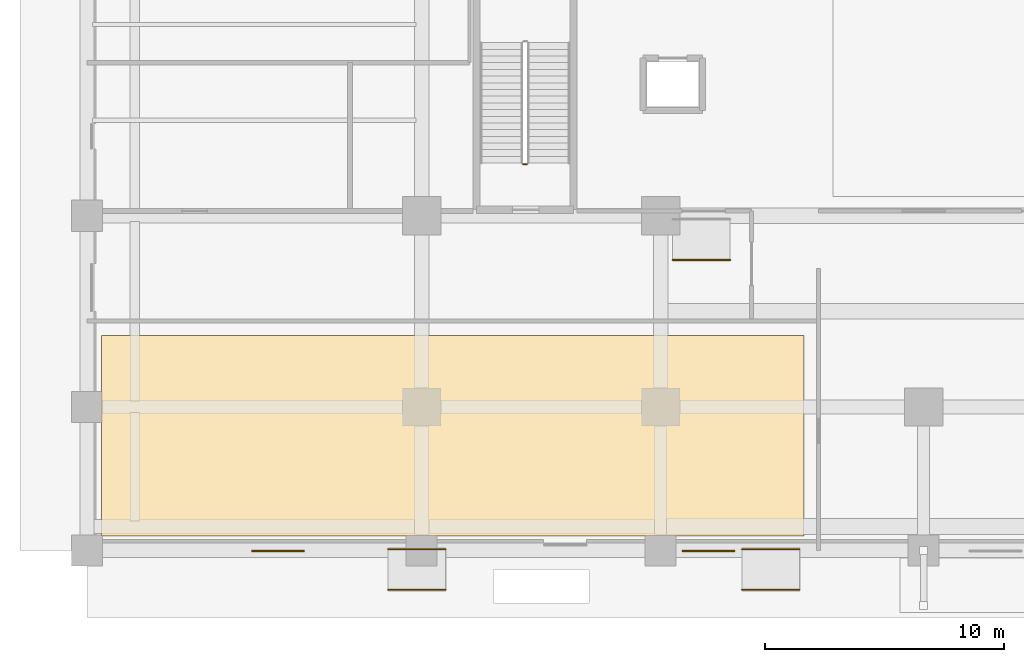
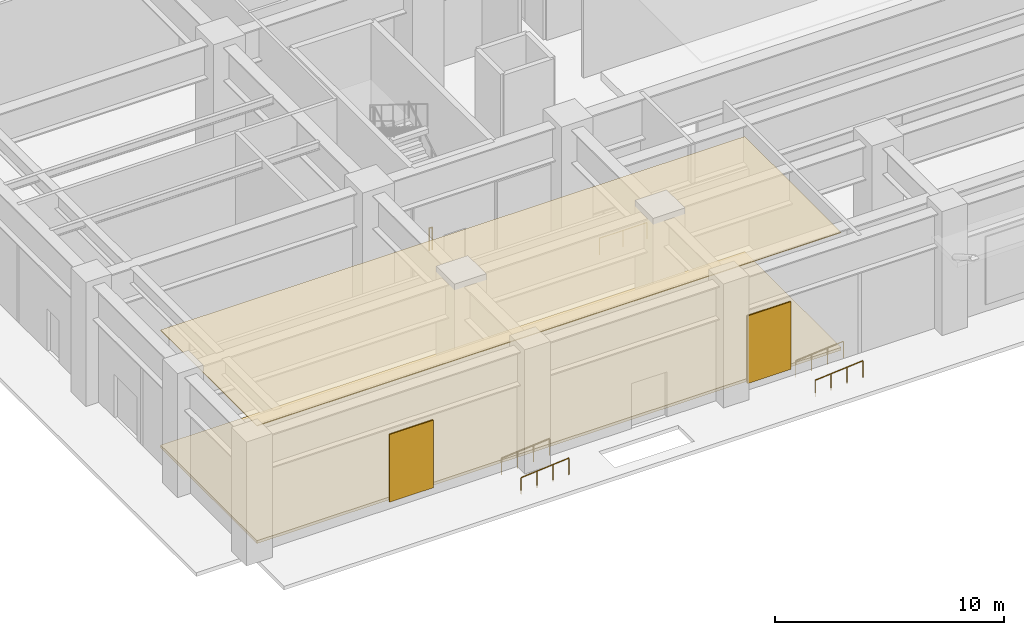
# One storey, part 14 of 21: 6 railings, 4 coverings.
"""IFC4 building model written with IfcOpenShell, lengths in metres."""

from ifc_helpers import new_model, si_unit, direction, frame, origin, origin_2d, place, context, subcontext, project, spatial, polyline, rectangle, circle, outline, extrude, source, transform, mapped, material, layer, layer_set, type_object, element, save


model = new_model("IFC4")

# Units and contexts
model_context = context("Model", 3, precision=1e-05, world=origin(), true_north=direction((0.0, 1.0)))
body_context = subcontext(model_context, "Body", "Model", "MODEL_VIEW")
ifc_project = project(units=[si_unit("LENGTHUNIT", "METRE"), si_unit("AREAUNIT", "SQUARE_METRE"), si_unit("VOLUMEUNIT", "CUBIC_METRE"), si_unit("PLANEANGLEUNIT", "RADIAN"), si_unit("MASSUNIT", "GRAM", prefix="KILO")], contexts=[model_context])

# Site, building, storey
site_placement = place(None, origin())
site = spatial("IfcSite", under=ifc_project, at=site_placement, CompositionType="ELEMENT")
building_placement = place(site_placement, origin())
building = spatial("IfcBuilding", under=site, at=building_placement, Name="Khorayat Bourse Tower", CompositionType="ELEMENT")
storey_placement = place(building_placement, origin())
storey = spatial("IfcBuildingStorey", under=building, at=storey_placement, Name="L00", CompositionType="ELEMENT", Elevation=0.0)

# Coverings
ifc_material_1 = material(Name="Mineral fibre acoustic ceiling tile")
ifc_layer_1 = layer(ifc_material_1, 0.0400390625)
ifc_layer_set_1 = layer_set([ifc_layer_1], Name="Mineral fibre acoustic ceiling tile")
covering_type_1 = type_object("IfcCoveringType", Name="COV-CEIL-ACOUSTIC", PredefinedType="CEILING", material=ifc_layer_set_1)
covering_1_placement = place(storey_placement, frame((0.0, 0.0, 6.239990234375)))
element("IfcCovering", 1, at=covering_1_placement, inside=storey, type_object=covering_type_1, Name="L00 Suspended Ceiling 2", PredefinedType="CEILING", context=body_context, shape_type="SweptSolid", body=[
    extrude(outline(polyline([(-45.39990234375, -37.39990234375), (-16.0, -37.39990234375), (-16.0, -29.0), (-45.39990234375, -29.0), (-45.39990234375, -37.39990234375)])), origin(), (0.0, 0.0, 1.0), 0.0400390625),
])
ifc_material_2 = material(Name="Steel-encapsulated raised access floor", Category="steel")
ifc_layer_2 = layer(ifc_material_2, 0.14990234375)
ifc_layer_set_2 = layer_set([ifc_layer_2], Name="Steel-encapsulated raised access floor")
covering_type_2 = type_object("IfcCoveringType", Name="COV-RAF-OFFICE", PredefinedType="FLOORING", material=ifc_layer_set_2)
covering_2_placement = place(storey_placement, origin())
element("IfcCovering", 2, at=covering_2_placement, inside=storey, type_object=covering_type_2, Name="L00 Raised Access Floor 2", PredefinedType="FLOORING", context=body_context, shape_type="SweptSolid", body=[
    extrude(outline(polyline([(-45.39990234375, -37.39990234375), (-16.0, -37.39990234375), (-16.0, -29.0), (-45.39990234375, -29.0), (-45.39990234375, -37.39990234375)])), origin(), (0.0, 0.0, 1.0), 0.14990234375),
])
ifc_material_3 = material(Name="Honed Omani desert limestone cladding", Category="masonry")
ifc_layer_3 = layer(ifc_material_3, 0.06005859375)
ifc_layer_set_3 = layer_set([ifc_layer_3], Name="Honed Omani desert limestone cladding")
covering_type_3 = type_object("IfcCoveringType", Name="COV-CLAD-STONE", PredefinedType="CLADDING", material=ifc_layer_set_3)
shared_shape_1 = source(origin(), body_context, "Body", "SweptSolid", [
    extrude(rectangle(XDim=2.199951171875, YDim=0.06005859375, at=origin_2d()), origin(), (0.0, 0.0, 1.0), 3.60009765625),
])
for number, where, z_axis, x_axis, name in (
    (3, (-38.0, -38.030029296875, 0.39990234375), (0.0, 0.0, 1.0), (1.0, 0.0, 0.0), "L00 Honed Limestone Pier Cladding 1"),
    (4, (-20.0, -38.030029296875, 0.39990234375), (0.0, 0.0, 1.0), (1.0, 0.0, 0.0), "L00 Honed Limestone Pier Cladding 2"),
):
    element("IfcCovering", number, at=place(storey_placement, frame(where, z_axis=z_axis, x_axis=x_axis)), inside=storey, type_object=covering_type_3, Name=name, PredefinedType="CLADDING", context=body_context, shape_type="MappedRepresentation", body=[
        mapped(shared_shape_1, transform((0.0, 0.0, 0.0), scale=1.0)),
    ])

# Railings
ifc_material_4 = material(Name="Powder-coated steel balustrade", Category="steel")
railing_type_1 = type_object("IfcRailingType", Name="RLG-GUARD-1200", PredefinedType="GUARDRAIL", material=ifc_material_4)
shared_shape_2 = source(origin(), body_context, "Body", "SweptSolid", [
    extrude(circle(Radius=0.02392578125, at=origin_2d()), frame((0.0, 0.0, 1.17578125), z_axis=(-1.0, 0.0, 0.0), x_axis=(0.0, -1.0, 0.0)), (0.0, 0.0, 1.0), 0.14990234375),
    extrude(circle(Radius=0.02099609375, at=origin_2d()), origin(), (0.0, 0.0, 1.0), 1.15185546875),
    extrude(circle(Radius=0.02099609375, at=origin_2d()), frame((-0.14990234375, 0.0, 0.0)), (0.0, 0.0, 1.0), 1.15185546875),
])
railing_1_placement = place(storey_placement, frame((-27.60009765625, -21.85009765625, 0.0)))
element("IfcRailing", 5, at=railing_1_placement, inside=storey, type_object=railing_type_1, Name="L00 ST-P1 stair guard 4", PredefinedType="GUARDRAIL", context=body_context, shape_type="MappedRepresentation", body=[
    mapped(shared_shape_2, transform((0.0, 0.0, 0.0), scale=1.0)),
])
ifc_material_5 = material(Name="Brushed bronze stainless-steel handrail", Category="steel")
railing_type_2 = type_object("IfcRailingType", Name="RLG-HAND-900", PredefinedType="HANDRAIL", material=ifc_material_5)
shared_shape_3 = source(origin(), body_context, "Body", "SweptSolid", [
    extrude(circle(Radius=0.02392578125, at=origin_2d()), frame((0.0, 0.0, 0.8759765625), z_axis=(0.996547855194, 0.0, 0.083020312624), x_axis=(0.0, 1.0, 0.0)), (0.0, 0.0, 1.0), 2.408447265625),
    extrude(circle(Radius=0.02099609375, at=origin_2d()), origin(), (0.0, 0.0, 1.0), 0.851806640625),
    extrude(circle(Radius=0.02099609375, at=origin_2d()), frame((0.800048828125, 0.0, 0.066650390625)), (0.0, 0.0, 1.0), 0.851806640625),
    extrude(circle(Radius=0.02099609375, at=origin_2d()), frame((1.60009765625, 0.0, 0.13330078125)), (0.0, 0.0, 1.0), 0.851806640625),
    extrude(circle(Radius=0.02099609375, at=origin_2d()), frame((2.400146484375, 0.0, 0.199951171875)), (0.0, 0.0, 1.0), 0.851806640625),
])
for number, where, name in (
    (6, (-18.60009765625, -39.64990234375, -0.199951171875), "South Forecourt Accessible Ramp Handrail 1"),
    (7, (-18.60009765625, -37.949951171875, -0.199951171875), "South Forecourt Accessible Ramp Handrail 2"),
):
    element("IfcRailing", number, at=place(storey_placement, frame(where)), inside=storey, type_object=railing_type_2, Name=name, PredefinedType="HANDRAIL", context=body_context, shape_type="MappedRepresentation", body=[
        mapped(shared_shape_3, transform((0.0, 0.0, 0.0), scale=1.0)),
    ])
shared_shape_4 = source(origin(), body_context, "Body", "SweptSolid", [
    extrude(circle(Radius=0.02392578125, at=origin_2d()), frame((0.0, 0.0, 0.8759765625), z_axis=(0.996547156423, 0.0, 0.083028700011), x_axis=(0.0, 1.0, 0.0)), (0.0, 0.0, 1.0), 2.408203125),
    extrude(circle(Radius=0.02099609375, at=origin_2d()), origin(), (0.0, 0.0, 1.0), 0.851806640625),
    extrude(circle(Radius=0.02099609375, at=origin_2d()), frame((0.800048828125, 0.0, 0.066650390625)), (0.0, 0.0, 1.0), 0.851806640625),
    extrude(circle(Radius=0.02099609375, at=origin_2d()), frame((1.599853515625, 0.0, 0.13330078125)), (0.0, 0.0, 1.0), 0.851806640625),
    extrude(circle(Radius=0.02099609375, at=origin_2d()), frame((2.39990234375, 0.0, 0.199951171875)), (0.0, 0.0, 1.0), 0.851806640625),
])
for number, where, name in (
    (8, (-33.39990234375, -39.64990234375, -0.199951171875), "West Retail Forecourt Accessible Ramp Handrail 1"),
    (9, (-33.39990234375, -37.949951171875, -0.199951171875), "West Retail Forecourt Accessible Ramp Handrail 2"),
):
    element("IfcRailing", number, at=place(storey_placement, frame(where)), inside=storey, type_object=railing_type_2, Name=name, PredefinedType="HANDRAIL", context=body_context, shape_type="MappedRepresentation", body=[
        mapped(shared_shape_4, transform((0.0, 0.0, 0.0), scale=1.0)),
    ])
shared_shape_5 = source(origin(), body_context, "Body", "SweptSolid", [
    extrude(circle(Radius=0.02392578125, at=origin_2d()), frame((0.0, 0.0, 0.8759765625), z_axis=(1.0, 0.0, 0.0), x_axis=(0.0, 1.0, 0.0)), (0.0, 0.0, 1.0), 2.39990234375),
    extrude(circle(Radius=0.02099609375, at=origin_2d()), origin(), (0.0, 0.0, 1.0), 0.851806640625),
    extrude(circle(Radius=0.02099609375, at=origin_2d()), frame((1.199951171875, 0.0, 0.0)), (0.0, 0.0, 1.0), 0.851806640625),
    extrude(circle(Radius=0.02099609375, at=origin_2d()), frame((2.39990234375, 0.0, 0.0)), (0.0, 0.0, 1.0), 0.851806640625),
])
railing_2_placement = place(storey_placement, frame((-21.5, -25.85009765625, 0.0)))
element("IfcRailing", 10, at=railing_2_placement, inside=storey, type_object=railing_type_2, Name="Ground Concourse Threshold Ramp Handrail 1", PredefinedType="HANDRAIL", context=body_context, shape_type="MappedRepresentation", body=[
    mapped(shared_shape_5, transform((0.0, 0.0, 0.0), scale=1.0)),
])

save(model, "model.ifc")
